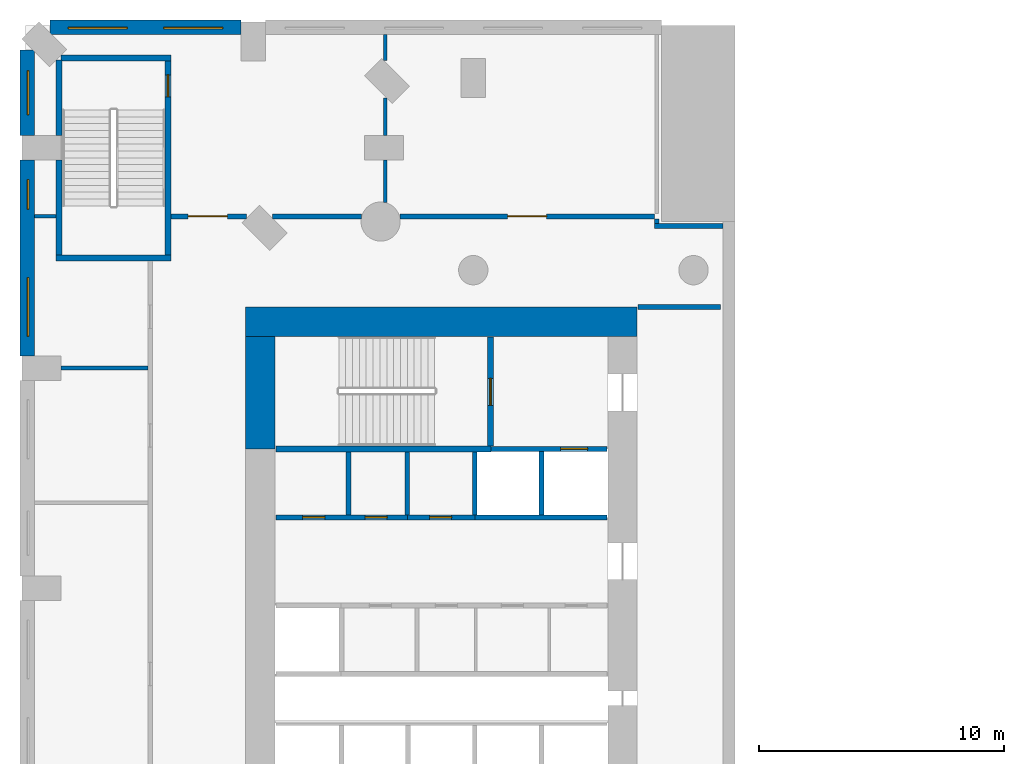
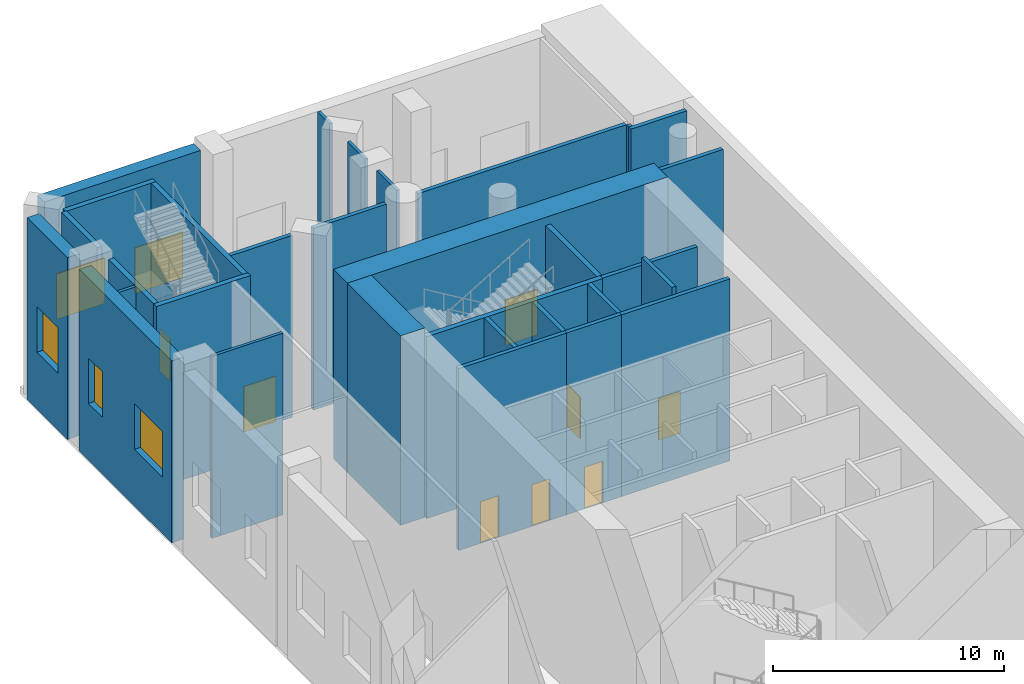
# One storey, part 6 of 16: 31 walls, 8 doors, 5 windows, 13 openings.
"""IFC4 building model written with IfcOpenShell, lengths in metres."""

from ifc_helpers import new_model, si_unit, direction, frame, frame_2d, origin, place, context, subcontext, project, spatial, rectangle, extrude, material, layer, layer_set, type_object, element, fill, save


model = new_model("IFC4")

# Units and contexts
model_context = context("Model", 3, precision=1e-05, world=origin(), true_north=direction((0.0, 1.0)))
body_context = subcontext(model_context, "Body", "Model", "MODEL_VIEW")
ifc_project = project(units=[si_unit("LENGTHUNIT", "METRE"), si_unit("AREAUNIT", "SQUARE_METRE"), si_unit("VOLUMEUNIT", "CUBIC_METRE"), si_unit("PLANEANGLEUNIT", "RADIAN"), si_unit("MASSUNIT", "GRAM", prefix="KILO")], contexts=[model_context])

# Site, building, storey
site_placement = place(None, origin())
site = spatial("IfcSite", under=ifc_project, at=site_placement, CompositionType="ELEMENT")
building_placement = place(site_placement, origin())
building = spatial("IfcBuilding", under=site, at=building_placement, Name="Cypress Arch Tower", CompositionType="ELEMENT")
storey_placement = place(building_placement, frame((0.0, 0.0, 9.0)))
storey = spatial("IfcBuildingStorey", under=building, at=storey_placement, Name="L01", CompositionType="ELEMENT", Elevation=9.0)

# Wall, openings, windows
ifc_material_1 = material(Name="Brick (red buff blend) on blockwork backing", Category="masonry")
ifc_layer_1 = layer(ifc_material_1, 0.60009765625)
ifc_layer_set_1 = layer_set([ifc_layer_1], Name="Brick base wall BW600")
wall_type_1 = type_object("IfcWallType", Name="Brick base wall BW600", PredefinedType="ELEMENTEDWALL", material=ifc_layer_set_1)
wall_1_placement = place(storey_placement, frame((-30.199951171875, 27.425048828125, 0.0), z_axis=(0.0, 0.0, 1.0), x_axis=(-1.0, 0.0, 0.0)))
wall_1 = element("IfcWall", 1, at=wall_1_placement, inside=storey, type_object=wall_type_1, Name="Brick wall L01 P03.2", PredefinedType="ELEMENTEDWALL", context=body_context, shape_type="SweptSolid", body=[
    extrude(rectangle(XDim=7.79296875, YDim=0.60009765625, at=frame_2d((3.896484375, 0.0))), origin(), (0.0, 0.0, 1.0), 9.60009765625),
])
opening_1_placement = place(wall_1_placement, frame((0.748291015625, 0.0, 3.0)))
opening_1 = element("IfcOpeningElement", 2, at=opening_1_placement, cuts=wall_1, Name="Opening W240P", PredefinedType="OPENING", context=body_context, shape_type="SweptSolid", body=[
    extrude(rectangle(XDim=2.39990234375, YDim=2.39990234375, at=frame_2d((1.199951171875, 1.199951171875))), frame((0.0, 0.31005859375, 0.0), z_axis=(0.0, -1.0, 0.0), x_axis=(1.0, 0.0, 0.0)), (0.0, 0.0, 1.0), 0.6201171875),
])
opening_2_placement = place(wall_1_placement, frame((4.644775390625, 0.0, 3.0)))
opening_2 = element("IfcOpeningElement", 3, at=opening_2_placement, cuts=wall_1, Name="Opening W240P", PredefinedType="OPENING", context=body_context, shape_type="SweptSolid", body=[
    extrude(rectangle(XDim=2.39990234375, YDim=2.39990234375, at=frame_2d((1.199951171875, 1.199951171875))), frame((0.0, 0.31005859375, 0.0), z_axis=(0.0, -1.0, 0.0), x_axis=(1.0, 0.0, 0.0)), (0.0, 0.0, 1.0), 0.6201171875),
])
ifc_material_2 = material(Name="Anodised aluminium, bronze finish, clear low-emissivity double glazing", Category="aluminium")
window_type_1 = type_object("IfcWindowType", Name="Window Podium 2400x2400", PartitioningType="SINGLE_PANEL", PredefinedType="WINDOW", material=ifc_material_2)
window_1_placement = place(opening_1_placement, origin())
window_1 = element("IfcWindow", 4, at=window_1_placement, inside=storey, type_object=window_type_1, Name="Window L01 P03.2.1", OverallHeight=2.39990234375, OverallWidth=2.39990234375, PartitioningType="SINGLE_PANEL", PredefinedType="WINDOW", context=body_context, shape_type="SweptSolid", body=[
    extrude(rectangle(XDim=2.39990234375, YDim=2.39990234375, at=frame_2d((1.199951171875, 1.199951171875))), frame((0.0, 0.06005859375, 0.0), z_axis=(0.0, -1.0, 0.0), x_axis=(1.0, 0.0, 0.0)), (0.0, 0.0, 1.0), 0.06005859375),
])
fill(opening_1, window_1)
window_2_placement = place(opening_2_placement, origin())
window_2 = element("IfcWindow", 5, at=window_2_placement, inside=storey, type_object=window_type_1, Name="Window L01 P03.2.2", OverallHeight=2.39990234375, OverallWidth=2.39990234375, PartitioningType="SINGLE_PANEL", PredefinedType="WINDOW", context=body_context, shape_type="SweptSolid", body=[
    extrude(rectangle(XDim=2.39990234375, YDim=2.39990234375, at=frame_2d((1.199951171875, 1.199951171875))), frame((0.0, 0.06005859375, 0.0), z_axis=(0.0, -1.0, 0.0), x_axis=(1.0, 0.0, 0.0)), (0.0, 0.0, 1.0), 0.06005859375),
])
fill(opening_2, window_2)

# Wall, opening, window
wall_2_placement = place(storey_placement, frame((-38.925048828125, 26.492919921875, 0.0), z_axis=(0.0, 0.0, 1.0), x_axis=(0.0, -1.0, 0.0)))
wall_2 = element("IfcWall", 6, at=wall_2_placement, inside=storey, type_object=wall_type_1, Name="Brick wall L01 P04.0", PredefinedType="ELEMENTEDWALL", context=body_context, shape_type="SweptSolid", body=[
    extrude(rectangle(XDim=3.492919921875, YDim=0.60009765625, at=frame_2d((1.74658203125, 0.0))), origin(), (0.0, 0.0, 1.0), 9.60009765625),
])
opening_3_placement = place(wall_2_placement, frame((0.846435546875, 0.0, 3.0)))
opening_3 = element("IfcOpeningElement", 7, at=opening_3_placement, cuts=wall_2, Name="Opening W180P", PredefinedType="OPENING", context=body_context, shape_type="SweptSolid", body=[
    extrude(rectangle(XDim=1.800048828125, YDim=2.39990234375, at=frame_2d((0.89990234375, 1.199951171875))), frame((0.0, 0.31005859375, 0.0), z_axis=(0.0, -1.0, 0.0), x_axis=(1.0, 0.0, 0.0)), (0.0, 0.0, 1.0), 0.6201171875),
])
ifc_material_3 = material(Name="Anodised aluminium, bronze finish, clear low-emissivity double glazing", Category="aluminium")
window_type_2 = type_object("IfcWindowType", Name="Window Podium 1800x2400", PartitioningType="SINGLE_PANEL", PredefinedType="WINDOW", material=ifc_material_3)
window_3_placement = place(opening_3_placement, origin())
window_3 = element("IfcWindow", 8, at=window_3_placement, inside=storey, type_object=window_type_2, Name="Window L01 P04.0.1", OverallHeight=2.39990234375, OverallWidth=1.800048828125, PartitioningType="SINGLE_PANEL", PredefinedType="WINDOW", context=body_context, shape_type="SweptSolid", body=[
    extrude(rectangle(XDim=1.800048828125, YDim=2.39990234375, at=frame_2d((0.89990234375, 1.199951171875))), frame((0.0, 0.06005859375, 0.0), z_axis=(0.0, -1.0, 0.0), x_axis=(1.0, 0.0, 0.0)), (0.0, 0.0, 1.0), 0.06005859375),
])
fill(opening_3, window_3)

# Wall, openings, windows
wall_3_placement = place(storey_placement, frame((-38.925048828125, 22.0, 0.0), z_axis=(0.0, 0.0, 1.0), x_axis=(0.0, -1.0, 0.0)))
wall_3 = element("IfcWall", 9, at=wall_3_placement, inside=storey, type_object=wall_type_1, Name="Brick wall L01 P04.1", PredefinedType="ELEMENTEDWALL", context=body_context, shape_type="SweptSolid", body=[
    extrude(rectangle(XDim=8.0, YDim=0.60009765625, at=frame_2d((4.0, 0.0))), origin(), (0.0, 0.0, 1.0), 9.60009765625),
])
opening_4_placement = place(wall_3_placement, frame((4.800048828125, 0.0, 3.0)))
opening_4 = element("IfcOpeningElement", 10, at=opening_4_placement, cuts=wall_3, Name="Opening W240P", PredefinedType="OPENING", context=body_context, shape_type="SweptSolid", body=[
    extrude(rectangle(XDim=2.39990234375, YDim=2.39990234375, at=frame_2d((1.199951171875, 1.199951171875))), frame((0.0, 0.31005859375, 0.0), z_axis=(0.0, -1.0, 0.0), x_axis=(1.0, 0.0, 0.0)), (0.0, 0.0, 1.0), 0.6201171875),
])
opening_5_placement = place(wall_3_placement, frame((0.800048828125, 0.0, 3.0)))
opening_5 = element("IfcOpeningElement", 11, at=opening_5_placement, cuts=wall_3, Name="Opening W120P", PredefinedType="OPENING", context=body_context, shape_type="SweptSolid", body=[
    extrude(rectangle(XDim=1.199951171875, YDim=2.39990234375, at=frame_2d((0.60009765625, 1.199951171875))), frame((0.0, 0.31005859375, 0.0), z_axis=(0.0, -1.0, 0.0), x_axis=(1.0, 0.0, 0.0)), (0.0, 0.0, 1.0), 0.6201171875),
])
ifc_material_4 = material(Name="Anodised aluminium, bronze finish, clear low-emissivity double glazing", Category="aluminium")
window_type_3 = type_object("IfcWindowType", Name="Window Podium 1200x2400", PartitioningType="SINGLE_PANEL", PredefinedType="WINDOW", material=ifc_material_4)
window_4_placement = place(opening_5_placement, origin())
window_4 = element("IfcWindow", 12, at=window_4_placement, inside=storey, type_object=window_type_3, Name="Window L01 P04.1.1", OverallHeight=2.39990234375, OverallWidth=1.199951171875, PartitioningType="SINGLE_PANEL", PredefinedType="WINDOW", context=body_context, shape_type="SweptSolid", body=[
    extrude(rectangle(XDim=1.199951171875, YDim=2.39990234375, at=frame_2d((0.60009765625, 1.199951171875))), frame((0.0, 0.06005859375, 0.0), z_axis=(0.0, -1.0, 0.0), x_axis=(1.0, 0.0, 0.0)), (0.0, 0.0, 1.0), 0.06005859375),
])
fill(opening_5, window_4)
window_5_placement = place(opening_4_placement, origin())
window_5 = element("IfcWindow", 13, at=window_5_placement, inside=storey, type_object=window_type_1, Name="Window L01 P04.1.2", OverallHeight=2.39990234375, OverallWidth=2.39990234375, PartitioningType="SINGLE_PANEL", PredefinedType="WINDOW", context=body_context, shape_type="SweptSolid", body=[
    extrude(rectangle(XDim=2.39990234375, YDim=2.39990234375, at=frame_2d((1.199951171875, 1.199951171875))), frame((0.0, 0.06005859375, 0.0), z_axis=(0.0, -1.0, 0.0), x_axis=(1.0, 0.0, 0.0)), (0.0, 0.0, 1.0), 0.06005859375),
])
fill(opening_4, window_5)

# Walls
ifc_material_5 = material(Name="Concrete C80/95", Category="concrete")
ifc_layer_2 = layer(ifc_material_5, 1.199951171875)
ifc_layer_set_2 = layer_set([ifc_layer_2], Name="Core wall CW1200 C80/95")
wall_type_2 = type_object("IfcWallType", Name="Core wall CW1200 C80/95", PredefinedType="SHEAR", material=ifc_layer_set_2)
wall_4_placement = place(storey_placement, frame((-30.0, 15.39990234375, 0.0), z_axis=(0.0, 0.0, 1.0), x_axis=(1.0, 0.0, 0.0)))
element("IfcWall", 14, at=wall_4_placement, inside=storey, type_object=wall_type_2, Name="Core wall", PredefinedType="SHEAR", context=body_context, shape_type="SweptSolid", body=[
    extrude(rectangle(XDim=16.0, YDim=1.199951171875, at=frame_2d((8.0, 0.0))), origin(), (0.0, 0.0, 1.0), 10.0),
])
wall_5_placement = place(storey_placement, frame((-29.39990234375, 10.199951171875, 0.0), z_axis=(0.0, 0.0, 1.0), x_axis=(0.0, 1.0, 0.0)))
element("IfcWall", 15, at=wall_5_placement, inside=storey, type_object=wall_type_2, Name="Core wall", PredefinedType="SHEAR", context=body_context, shape_type="SweptSolid", body=[
    extrude(rectangle(XDim=4.60009765625, YDim=1.199951171875, at=frame_2d((2.300048828125, 0.0))), origin(), (0.0, 0.0, 1.0), 10.0),
])

# Wall, opening, door
ifc_material_6 = material(Name="Concrete blockwork, plastered, rated", Category="masonry")
ifc_layer_3 = layer(ifc_material_6, 0.199951171875)
ifc_layer_set_3 = layer_set([ifc_layer_3], Name="Corridor wall FW200")
wall_type_3 = type_object("IfcWallType", Name="Corridor wall FW200", PredefinedType="PARTITIONING", material=ifc_layer_set_3)
wall_6_placement = place(storey_placement, frame((-33.050048828125, 19.699951171875, 0.0), z_axis=(0.0, 0.0, 1.0), x_axis=(1.0, 0.0, 0.0)))
wall_6 = element("IfcWall", 16, at=wall_6_placement, inside=storey, type_object=wall_type_3, Name="Corridor wall", PredefinedType="PARTITIONING", context=body_context, shape_type="SweptSolid", body=[
    extrude(rectangle(XDim=3.0771484375, YDim=0.199951171875, at=frame_2d((1.53857421875, 0.0))), origin(), (0.0, 0.0, 1.0), 9.597900390625),
])
opening_6_placement = place(wall_6_placement, frame((0.699951171875, 0.0, 0.0)))
opening_6 = element("IfcOpeningElement", 17, at=opening_6_placement, cuts=wall_6, Name="Opening D10", PredefinedType="OPENING", context=body_context, shape_type="SweptSolid", body=[
    extrude(rectangle(XDim=1.60009765625, YDim=2.39990234375, at=frame_2d((0.800048828125, 1.199951171875))), frame((0.0, 0.10986328125, 0.0), z_axis=(0.0, -1.0, 0.0), x_axis=(1.0, 0.0, 0.0)), (0.0, 0.0, 1.0), 0.219970703125),
])
ifc_material_7 = material(Name="Black aluminium glazed door", Category="aluminium")
door_type_1 = type_object("IfcDoorType", Name="Amenity door D10 1600x2400", OperationType="DOUBLE_DOOR_SINGLE_SWING", PredefinedType="DOOR", material=ifc_material_7)
door_1_placement = place(opening_6_placement, origin())
door_1 = element("IfcDoor", 18, at=door_1_placement, inside=storey, type_object=door_type_1, Name="Amenity door", OperationType="DOUBLE_DOOR_SINGLE_SWING", OverallHeight=2.39990234375, OverallWidth=1.60009765625, PredefinedType="DOOR", context=body_context, shape_type="SweptSolid", body=[
    extrude(rectangle(XDim=1.60009765625, YDim=2.39990234375, at=frame_2d((0.800048828125, 1.199951171875))), frame((0.0, 0.02490234375, 0.0), z_axis=(0.0, -1.0, 0.0), x_axis=(1.0, 0.0, 0.0)), (0.0, 0.0, 1.0), 0.050048828125),
])
fill(opening_6, door_1)

# Wall
wall_7_placement = place(storey_placement, frame((-28.912841796875, 19.699951171875, 0.0), z_axis=(0.0, 0.0, 1.0), x_axis=(1.0, 0.0, 0.0)))
element("IfcWall", 19, at=wall_7_placement, inside=storey, type_object=wall_type_3, Name="Corridor wall", PredefinedType="PARTITIONING", context=body_context, shape_type="SweptSolid", body=[
    extrude(rectangle(XDim=3.637451171875, YDim=0.199951171875, at=frame_2d((1.81884765625, 0.0))), origin(), (0.0, 0.0, 1.0), 9.597900390625),
])

# Wall, opening, door
wall_8_placement = place(storey_placement, frame((-23.7001953125, 19.699951171875, 0.0), z_axis=(0.0, 0.0, 1.0), x_axis=(1.0, 0.0, 0.0)))
wall_8 = element("IfcWall", 20, at=wall_8_placement, inside=storey, type_object=wall_type_3, Name="Corridor wall", PredefinedType="PARTITIONING", context=body_context, shape_type="SweptSolid", body=[
    extrude(rectangle(XDim=10.400146484375, YDim=0.199951171875, at=frame_2d((5.2001953125, 0.0))), origin(), (0.0, 0.0, 1.0), 9.597900390625),
])
opening_7_placement = place(wall_8_placement, frame((4.39990234375, 0.0, 0.0)))
opening_7 = element("IfcOpeningElement", 21, at=opening_7_placement, cuts=wall_8, Name="Opening D10", PredefinedType="OPENING", context=body_context, shape_type="SweptSolid", body=[
    extrude(rectangle(XDim=1.60009765625, YDim=2.39990234375, at=frame_2d((0.800048828125, 1.199951171875))), frame((0.0, 0.10986328125, 0.0), z_axis=(0.0, -1.0, 0.0), x_axis=(1.0, 0.0, 0.0)), (0.0, 0.0, 1.0), 0.219970703125),
])
door_2_placement = place(opening_7_placement, origin())
door_2 = element("IfcDoor", 22, at=door_2_placement, inside=storey, type_object=door_type_1, Name="Amenity door", OperationType="DOUBLE_DOOR_SINGLE_SWING", OverallHeight=2.39990234375, OverallWidth=1.60009765625, PredefinedType="DOOR", context=body_context, shape_type="SweptSolid", body=[
    extrude(rectangle(XDim=1.60009765625, YDim=2.39990234375, at=frame_2d((0.800048828125, 1.199951171875))), frame((0.0, 0.02490234375, 0.0), z_axis=(0.0, -1.0, 0.0), x_axis=(1.0, 0.0, 0.0)), (0.0, 0.0, 1.0), 0.050048828125),
])
fill(opening_7, door_2)

wall_9_placement = place(storey_placement, frame((-23.3798828125, 7.39990234375, 0.0), z_axis=(0.0, 0.0, 1.0), x_axis=(1.0, 0.0, 0.0)))
wall_9 = element("IfcWall", 23, at=wall_9_placement, inside=storey, type_object=wall_type_3, Name="Corridor wall", PredefinedType="PARTITIONING", context=body_context, shape_type="SweptSolid", body=[
    extrude(rectangle(XDim=2.739990234375, YDim=0.199951171875, at=frame_2d((1.3701171875, 0.0))), origin(), (0.0, 0.0, 1.0), 9.597900390625),
])
opening_8_placement = place(wall_9_placement, frame((0.89990234375, 0.0, 0.0)))
opening_8 = element("IfcOpeningElement", 24, at=opening_8_placement, cuts=wall_9, Name="Opening D05", PredefinedType="OPENING", context=body_context, shape_type="SweptSolid", body=[
    extrude(rectangle(XDim=0.89990234375, YDim=2.199951171875, at=frame_2d((0.449951171875, 1.10009765625))), frame((0.0, 0.10986328125, 0.0), z_axis=(0.0, -1.0, 0.0), x_axis=(1.0, 0.0, 0.0)), (0.0, 0.0, 1.0), 0.219970703125),
])
ifc_material_8 = material(Name="Timber flush door", Category="wood")
door_type_2 = type_object("IfcDoorType", Name="Service door D05 900x2200", OperationType="SINGLE_SWING_LEFT", PredefinedType="DOOR", material=ifc_material_8)
door_3_placement = place(opening_8_placement, origin())
door_3 = element("IfcDoor", 25, at=door_3_placement, inside=storey, type_object=door_type_2, Name="Service door", OperationType="SINGLE_SWING_LEFT", OverallHeight=2.199951171875, OverallWidth=0.89990234375, PredefinedType="DOOR", context=body_context, shape_type="SweptSolid", body=[
    extrude(rectangle(XDim=0.89990234375, YDim=2.199951171875, at=frame_2d((0.449951171875, 1.10009765625))), frame((0.0, 0.02490234375, 0.0), z_axis=(0.0, -1.0, 0.0), x_axis=(1.0, 0.0, 0.0)), (0.0, 0.0, 1.0), 0.050048828125),
])
fill(opening_8, door_3)

# Walls
wall_10_placement = place(storey_placement, frame((-13.969970703125, 16.0, 0.0), z_axis=(0.0, 0.0, 1.0), x_axis=(1.0, 0.0, 0.0)))
element("IfcWall", 26, at=wall_10_placement, inside=storey, type_object=wall_type_3, Name="Corridor wall", PredefinedType="PARTITIONING", context=body_context, shape_type="SweptSolid", body=[
    extrude(rectangle(XDim=3.369873046875, YDim=0.199951171875, at=frame_2d((1.68505859375, 0.0))), origin(), (0.0, 0.0, 1.0), 9.597900390625),
])
wall_11_placement = place(storey_placement, frame((-13.199951171875, 19.39990234375, 0.0), z_axis=(0.0, 0.0, 1.0), x_axis=(0.0, 1.0, 0.0)))
element("IfcWall", 27, at=wall_11_placement, inside=storey, type_object=wall_type_3, Name="Corridor wall", PredefinedType="PARTITIONING", context=body_context, shape_type="SweptSolid", body=[
    extrude(rectangle(XDim=0.2001953125, YDim=0.199951171875, at=frame_2d((0.10009765625, 0.0))), origin(), (0.0, 0.0, 1.0), 9.597900390625),
])
wall_12_placement = place(storey_placement, frame((-13.300048828125, 19.300048828125, 0.0), z_axis=(0.0, 0.0, 1.0), x_axis=(1.0, 0.0, 0.0)))
element("IfcWall", 28, at=wall_12_placement, inside=storey, type_object=wall_type_3, Name="Corridor wall", PredefinedType="PARTITIONING", context=body_context, shape_type="SweptSolid", body=[
    extrude(rectangle(XDim=2.800048828125, YDim=0.199951171875, at=frame_2d((1.39990234375, 0.0))), origin(), (0.0, 0.0, 1.0), 9.597900390625),
])
ifc_material_9 = material(Name="Blockwork, plastered both sides", Category="masonry")
ifc_layer_4 = layer(ifc_material_9, 0.14990234375)
ifc_layer_set_4 = layer_set([ifc_layer_4], Name="Partition PW150")
wall_type_4 = type_object("IfcWallType", Name="Partition PW150", PredefinedType="PARTITIONING", material=ifc_layer_set_4)
wall_13_placement = place(storey_placement, frame((-37.550048828125, 13.5, 0.0), z_axis=(0.0, 0.0, 1.0), x_axis=(1.0, 0.0, 0.0)))
element("IfcWall", 29, at=wall_13_placement, inside=storey, type_object=wall_type_4, Name="Partition", PredefinedType="PARTITIONING", context=body_context, shape_type="SweptSolid", body=[
    extrude(rectangle(XDim=3.550048828125, YDim=0.14990234375, at=frame_2d((1.77490234375, 0.0))), origin(), (0.0, 0.0, 1.0), 9.597900390625),
])
wall_14_placement = place(storey_placement, frame((-38.625, 19.699951171875, 0.0), z_axis=(0.0, 0.0, 1.0), x_axis=(1.0, 0.0, 0.0)))
element("IfcWall", 30, at=wall_14_placement, inside=storey, type_object=wall_type_4, Name="Partition", PredefinedType="PARTITIONING", context=body_context, shape_type="SweptSolid", body=[
    extrude(rectangle(XDim=0.875, YDim=0.14990234375, at=frame_2d((0.4375, 0.0))), origin(), (0.0, 0.0, 1.0), 9.597900390625),
])
wall_15_placement = place(storey_placement, frame((-24.300048828125, 20.27294921875, 0.0), z_axis=(0.0, 0.0, 1.0), x_axis=(0.0, 1.0, 0.0)))
element("IfcWall", 31, at=wall_15_placement, inside=storey, type_object=wall_type_4, Name="Partition", PredefinedType="PARTITIONING", context=body_context, shape_type="SweptSolid", body=[
    extrude(rectangle(XDim=1.72705078125, YDim=0.14990234375, at=frame_2d((0.863525390625, 0.0))), origin(), (0.0, 0.0, 1.0), 9.597900390625),
])
wall_16_placement = place(storey_placement, frame((-24.300048828125, 23.0, 0.0), z_axis=(0.0, 0.0, 1.0), x_axis=(0.0, 1.0, 0.0)))
element("IfcWall", 32, at=wall_16_placement, inside=storey, type_object=wall_type_4, Name="Partition", PredefinedType="PARTITIONING", context=body_context, shape_type="SweptSolid", body=[
    extrude(rectangle(XDim=1.532958984375, YDim=0.14990234375, at=frame_2d((0.7666015625, 0.0))), origin(), (0.0, 0.0, 1.0), 9.597900390625),
])
wall_17_placement = place(storey_placement, frame((-24.300048828125, 26.067138671875, 0.0), z_axis=(0.0, 0.0, 1.0), x_axis=(0.0, 1.0, 0.0)))
element("IfcWall", 33, at=wall_17_placement, inside=storey, type_object=wall_type_4, Name="Partition", PredefinedType="PARTITIONING", context=body_context, shape_type="SweptSolid", body=[
    extrude(rectangle(XDim=1.057861328125, YDim=0.14990234375, at=frame_2d((0.52880859375, 0.0))), origin(), (0.0, 0.0, 1.0), 9.597900390625),
])

# Wall, openings, doors
ifc_material_10 = material(Name="Reinforced blockwork, plastered, rated", Category="masonry")
ifc_layer_5 = layer(ifc_material_10, 0.199951171875)
ifc_layer_set_5 = layer_set([ifc_layer_5], Name="Plant and riser wall PL200")
wall_type_5 = type_object("IfcWallType", Name="Plant and riser wall PL200", PredefinedType="PARTITIONING", material=ifc_layer_set_5)
wall_18_placement = place(storey_placement, frame((-28.77001953125, 7.39990234375, 0.0), z_axis=(0.0, 0.0, 1.0), x_axis=(1.0, 0.0, 0.0)))
wall_18 = element("IfcWall", 34, at=wall_18_placement, inside=storey, type_object=wall_type_5, Name="Plant and riser wall", PredefinedType="PARTITIONING", context=body_context, shape_type="SweptSolid", body=[
    extrude(rectangle(XDim=5.39013671875, YDim=0.199951171875, at=frame_2d((2.695068359375, 0.0))), origin(), (0.0, 0.0, 1.0), 9.597900390625),
])
opening_9_placement = place(wall_18_placement, frame((1.10009765625, 0.0, 0.0)))
opening_9 = element("IfcOpeningElement", 35, at=opening_9_placement, cuts=wall_18, Name="Opening D05", PredefinedType="OPENING", context=body_context, shape_type="SweptSolid", body=[
    extrude(rectangle(XDim=0.89990234375, YDim=2.199951171875, at=frame_2d((0.449951171875, 1.10009765625))), frame((0.0, 0.10986328125, 0.0), z_axis=(0.0, -1.0, 0.0), x_axis=(1.0, 0.0, 0.0)), (0.0, 0.0, 1.0), 0.219970703125),
])
opening_10_placement = place(wall_18_placement, frame((3.64990234375, 0.0, 0.0)))
opening_10 = element("IfcOpeningElement", 36, at=opening_10_placement, cuts=wall_18, Name="Opening D05", PredefinedType="OPENING", context=body_context, shape_type="SweptSolid", body=[
    extrude(rectangle(XDim=0.89990234375, YDim=2.199951171875, at=frame_2d((0.449951171875, 1.10009765625))), frame((0.0, 0.10986328125, 0.0), z_axis=(0.0, -1.0, 0.0), x_axis=(1.0, 0.0, 0.0)), (0.0, 0.0, 1.0), 0.219970703125),
])
door_4_placement = place(opening_9_placement, origin())
door_4 = element("IfcDoor", 37, at=door_4_placement, inside=storey, type_object=door_type_2, Name="Service door", OperationType="SINGLE_SWING_RIGHT", OverallHeight=2.199951171875, OverallWidth=0.89990234375, PredefinedType="DOOR", context=body_context, shape_type="SweptSolid", body=[
    extrude(rectangle(XDim=0.89990234375, YDim=2.199951171875, at=frame_2d((0.449951171875, 1.10009765625))), frame((0.0, 0.02490234375, 0.0), z_axis=(0.0, -1.0, 0.0), x_axis=(1.0, 0.0, 0.0)), (0.0, 0.0, 1.0), 0.050048828125),
])
fill(opening_9, door_4)
door_5_placement = place(opening_10_placement, origin())
door_5 = element("IfcDoor", 38, at=door_5_placement, inside=storey, type_object=door_type_2, Name="Service door", OperationType="SINGLE_SWING_LEFT", OverallHeight=2.199951171875, OverallWidth=0.89990234375, PredefinedType="DOOR", context=body_context, shape_type="SweptSolid", body=[
    extrude(rectangle(XDim=0.89990234375, YDim=2.199951171875, at=frame_2d((0.449951171875, 1.10009765625))), frame((0.0, 0.02490234375, 0.0), z_axis=(0.0, -1.0, 0.0), x_axis=(1.0, 0.0, 0.0)), (0.0, 0.0, 1.0), 0.050048828125),
])
fill(opening_10, door_5)

# Walls
for number, where, z_axis, x_axis, name in (
    (39, (-25.800048828125, 7.5, 0.0), (0.0, 0.0, 1.0), (0.0, 1.0, 0.0), "Plant and riser wall"),
    (40, (-23.39990234375, 7.5, 0.0), (0.0, 0.0, 1.0), (0.0, 1.0, 0.0), "Plant and riser wall"),
):
    element("IfcWall", number, at=place(storey_placement, frame(where, z_axis=z_axis, x_axis=x_axis)), inside=storey, type_object=wall_type_5, Name=name, PredefinedType="PARTITIONING", context=body_context, shape_type="SweptSolid", body=[
        extrude(rectangle(XDim=2.574951171875, YDim=0.199951171875, at=frame_2d((1.28759765625, 0.0))), origin(), (0.0, 0.0, 1.0), 9.597900390625),
    ])
ifc_material_11 = material(Name="Concrete C50/60", Category="concrete")
ifc_layer_6 = layer(ifc_material_11, 0.199951171875)
ifc_layer_set_6 = layer_set([ifc_layer_6], Name="Shaft wall SH200")
wall_type_6 = type_object("IfcWallType", Name="Shaft wall SH200", PredefinedType="SHEAR", material=ifc_layer_set_6)
wall_19_placement = place(storey_placement, frame((-20.639892578125, 7.5, 0.0), z_axis=(0.0, 0.0, 1.0), x_axis=(0.0, 1.0, 0.0)))
element("IfcWall", 41, at=wall_19_placement, inside=storey, type_object=wall_type_6, Name="Shaft wall", PredefinedType="SHEAR", context=body_context, shape_type="SweptSolid", body=[
    extrude(rectangle(XDim=2.574951171875, YDim=0.199951171875, at=frame_2d((1.28759765625, 0.0))), origin(), (0.0, 0.0, 1.0), 9.597900390625),
])
wall_20_placement = place(storey_placement, frame((-20.639892578125, 7.39990234375, 0.0), z_axis=(0.0, 0.0, 1.0), x_axis=(1.0, 0.0, 0.0)))
element("IfcWall", 42, at=wall_20_placement, inside=storey, type_object=wall_type_6, Name="Shaft wall", PredefinedType="SHEAR", context=body_context, shape_type="SweptSolid", body=[
    extrude(rectangle(XDim=5.409912109375, YDim=0.199951171875, at=frame_2d((2.705078125, 0.0))), origin(), (0.0, 0.0, 1.0), 9.597900390625),
])

# Wall, opening, door
wall_21_placement = place(storey_placement, frame((-19.97998046875, 10.199951171875, 0.0), z_axis=(0.0, 0.0, 1.0), x_axis=(1.0, 0.0, 0.0)))
wall_21 = element("IfcWall", 43, at=wall_21_placement, inside=storey, type_object=wall_type_6, Name="Shaft wall", PredefinedType="SHEAR", context=body_context, shape_type="SweptSolid", body=[
    extrude(rectangle(XDim=4.75, YDim=0.199951171875, at=frame_2d((2.375, 0.0))), origin(), (0.0, 0.0, 1.0), 9.597900390625),
])
opening_11_placement = place(wall_21_placement, frame((2.85009765625, 0.0, 0.0)))
opening_11 = element("IfcOpeningElement", 44, at=opening_11_placement, cuts=wall_21, Name="Opening LD-FL2", PredefinedType="OPENING", context=body_context, shape_type="SweptSolid", body=[
    extrude(rectangle(XDim=1.10009765625, YDim=2.199951171875, at=frame_2d((0.550048828125, 1.10009765625))), frame((0.0, 0.10986328125, 0.0), z_axis=(0.0, -1.0, 0.0), x_axis=(1.0, 0.0, 0.0)), (0.0, 0.0, 1.0), 0.219970703125),
])
ifc_material_12 = material(Name="Stainless steel centre-opening landing door, rated", Category="steel")
door_type_3 = type_object("IfcDoorType", Name="Lift landing door LD 1100x2200", OperationType="DOUBLE_DOOR_SLIDING", PredefinedType="DOOR", material=ifc_material_12)
door_6_placement = place(opening_11_placement, origin())
door_6 = element("IfcDoor", 45, at=door_6_placement, inside=storey, type_object=door_type_3, Name="Lift landing doors FL2", OperationType="DOUBLE_DOOR_SLIDING", OverallHeight=2.199951171875, OverallWidth=1.10009765625, PredefinedType="DOOR", context=body_context, shape_type="SweptSolid", body=[
    extrude(rectangle(XDim=1.10009765625, YDim=2.199951171875, at=frame_2d((0.550048828125, 1.10009765625))), frame((0.0, 0.02490234375, 0.0), z_axis=(0.0, -1.0, 0.0), x_axis=(1.0, 0.0, 0.0)), (0.0, 0.0, 1.0), 0.050048828125),
])
fill(opening_11, door_6)

# Walls
wall_22_placement = place(storey_placement, frame((-17.919921875, 7.5, 0.0), z_axis=(0.0, 0.0, 1.0), x_axis=(0.0, 1.0, 0.0)))
element("IfcWall", 46, at=wall_22_placement, inside=storey, type_object=wall_type_6, Name="Shaft wall", PredefinedType="SHEAR", context=body_context, shape_type="SweptSolid", body=[
    extrude(rectangle(XDim=2.60009765625, YDim=0.199951171875, at=frame_2d((1.300048828125, 0.0))), origin(), (0.0, 0.0, 1.0), 10.0),
])
ifc_material_13 = material(Name="Concrete C50/60", Category="concrete")
ifc_layer_7 = layer(ifc_material_13, 0.25)
ifc_layer_set_7 = layer_set([ifc_layer_7], Name="Stair enclosure wall SW250")
wall_type_7 = type_object("IfcWallType", Name="Stair enclosure wall SW250", PredefinedType="SHEAR", material=ifc_layer_set_7)
wall_23_placement = place(storey_placement, frame((-37.625, 18.1298828125, 0.0), z_axis=(0.0, 0.0, 1.0), x_axis=(0.0, 1.0, 0.0)))
element("IfcWall", 47, at=wall_23_placement, inside=storey, type_object=wall_type_7, Name="Stair enclosure wall", PredefinedType="SHEAR", context=body_context, shape_type="SweptSolid", body=[
    extrude(rectangle(XDim=3.8701171875, YDim=0.25, at=frame_2d((1.93505859375, 0.0))), origin(), (0.0, 0.0, 1.0), 9.60009765625),
])
wall_24_placement = place(storey_placement, frame((-37.625, 23.0, 0.0), z_axis=(0.0, 0.0, 1.0), x_axis=(0.0, 1.0, 0.0)))
element("IfcWall", 48, at=wall_24_placement, inside=storey, type_object=wall_type_7, Name="Stair enclosure wall", PredefinedType="SHEAR", context=body_context, shape_type="SweptSolid", body=[
    extrude(rectangle(XDim=3.09521484375, YDim=0.25, at=frame_2d((1.547607421875, 0.0))), origin(), (0.0, 0.0, 1.0), 9.60009765625),
])
wall_25_placement = place(storey_placement, frame((-37.75, 18.0048828125, 0.0), z_axis=(0.0, 0.0, 1.0), x_axis=(1.0, 0.0, 0.0)))
element("IfcWall", 49, at=wall_25_placement, inside=storey, type_object=wall_type_7, Name="Stair enclosure wall", PredefinedType="SHEAR", context=body_context, shape_type="SweptSolid", body=[
    extrude(rectangle(XDim=4.699951171875, YDim=0.25, at=frame_2d((2.35009765625, 0.0))), origin(), (0.0, 0.0, 1.0), 9.60009765625),
])
wall_26_placement = place(storey_placement, frame((-37.545166015625, 26.175048828125, 0.0), z_axis=(0.0, 0.0, 1.0), x_axis=(1.0, 0.0, 0.0)))
element("IfcWall", 50, at=wall_26_placement, inside=storey, type_object=wall_type_7, Name="Stair enclosure wall", PredefinedType="SHEAR", context=body_context, shape_type="SweptSolid", body=[
    extrude(rectangle(XDim=4.4951171875, YDim=0.25, at=frame_2d((2.24755859375, 0.0))), origin(), (0.0, 0.0, 1.0), 9.60009765625),
])

# Wall, opening, door
wall_27_placement = place(storey_placement, frame((-33.175048828125, 18.1298828125, 0.0), z_axis=(0.0, 0.0, 1.0), x_axis=(0.0, 1.0, 0.0)))
wall_27 = element("IfcWall", 51, at=wall_27_placement, inside=storey, type_object=wall_type_7, Name="Stair enclosure wall", PredefinedType="SHEAR", context=body_context, shape_type="SweptSolid", body=[
    extrude(rectangle(XDim=7.920166015625, YDim=0.25, at=frame_2d((3.9599609375, 0.0))), origin(), (0.0, 0.0, 1.0), 9.60009765625),
])
opening_12_placement = place(wall_27_placement, frame((6.449951171875, 0.0, 0.0)))
opening_12 = element("IfcOpeningElement", 52, at=opening_12_placement, cuts=wall_27, Name="Opening D15", PredefinedType="OPENING", context=body_context, shape_type="SweptSolid", body=[
    extrude(rectangle(XDim=0.89990234375, YDim=2.199951171875, at=frame_2d((0.449951171875, 1.10009765625))), frame((0.0, 0.135009765625, 0.0), z_axis=(0.0, -1.0, 0.0), x_axis=(1.0, 0.0, 0.0)), (0.0, 0.0, 1.0), 0.27001953125),
])
ifc_material_14 = material(Name="Steel door, fire resisting, panic bar", Category="steel")
door_type_4 = type_object("IfcDoorType", Name="Stair door D15 900x2200", OperationType="SINGLE_SWING_LEFT", PredefinedType="DOOR", material=ifc_material_14)
door_7_placement = place(opening_12_placement, origin())
door_7 = element("IfcDoor", 53, at=door_7_placement, inside=storey, type_object=door_type_4, Name="Stair door", OperationType="SINGLE_SWING_RIGHT", OverallHeight=2.199951171875, OverallWidth=0.89990234375, PredefinedType="DOOR", context=body_context, shape_type="SweptSolid", body=[
    extrude(rectangle(XDim=0.89990234375, YDim=2.199951171875, at=frame_2d((0.449951171875, 1.10009765625))), frame((0.0, 0.02490234375, 0.0), z_axis=(0.0, -1.0, 0.0), x_axis=(1.0, 0.0, 0.0)), (0.0, 0.0, 1.0), 0.050048828125),
])
fill(opening_12, door_7)

# Wall
wall_28_placement = place(storey_placement, frame((-28.77001953125, 10.199951171875, 0.0), z_axis=(0.0, 0.0, 1.0), x_axis=(1.0, 0.0, 0.0)))
element("IfcWall", 54, at=wall_28_placement, inside=storey, type_object=wall_type_7, Name="Stair enclosure wall", PredefinedType="SHEAR", context=body_context, shape_type="SweptSolid", body=[
    extrude(rectangle(XDim=8.7900390625, YDim=0.25, at=frame_2d((4.39501953125, 0.0))), origin(), (0.0, 0.0, 1.0), 9.597900390625),
])

# Wall, opening, door
wall_29_placement = place(storey_placement, frame((-20.0, 10.324951171875, 0.0), z_axis=(0.0, 0.0, 1.0), x_axis=(0.0, 1.0, 0.0)))
wall_29 = element("IfcWall", 55, at=wall_29_placement, inside=storey, type_object=wall_type_7, Name="Stair enclosure wall", PredefinedType="SHEAR", context=body_context, shape_type="SweptSolid", body=[
    extrude(rectangle(XDim=4.445068359375, YDim=0.25, at=frame_2d((2.22265625, 0.0))), origin(), (0.0, 0.0, 1.0), 9.597900390625),
])
opening_13_placement = place(wall_29_placement, frame((1.64990234375, 0.0, 0.0)))
opening_13 = element("IfcOpeningElement", 56, at=opening_13_placement, cuts=wall_29, Name="Opening D06", PredefinedType="OPENING", context=body_context, shape_type="SweptSolid", body=[
    extrude(rectangle(XDim=1.10009765625, YDim=2.199951171875, at=frame_2d((0.550048828125, 1.10009765625))), frame((0.0, 0.135009765625, 0.0), z_axis=(0.0, -1.0, 0.0), x_axis=(1.0, 0.0, 0.0)), (0.0, 0.0, 1.0), 0.27001953125),
])
ifc_material_15 = material(Name="Steel door, fire resisting, panic bar", Category="steel")
door_type_5 = type_object("IfcDoorType", Name="Stair door D06 1100x2200", OperationType="SINGLE_SWING_LEFT", PredefinedType="DOOR", material=ifc_material_15)
door_8_placement = place(opening_13_placement, origin())
door_8 = element("IfcDoor", 57, at=door_8_placement, inside=storey, type_object=door_type_5, Name="Stair door", OperationType="SINGLE_SWING_LEFT", OverallHeight=2.199951171875, OverallWidth=1.10009765625, PredefinedType="DOOR", context=body_context, shape_type="SweptSolid", body=[
    extrude(rectangle(XDim=1.10009765625, YDim=2.199951171875, at=frame_2d((0.550048828125, 1.10009765625))), frame((0.0, 0.02490234375, 0.0), z_axis=(0.0, -1.0, 0.0), x_axis=(1.0, 0.0, 0.0)), (0.0, 0.0, 1.0), 0.050048828125),
])
fill(opening_13, door_8)

save(model, "model.ifc")
